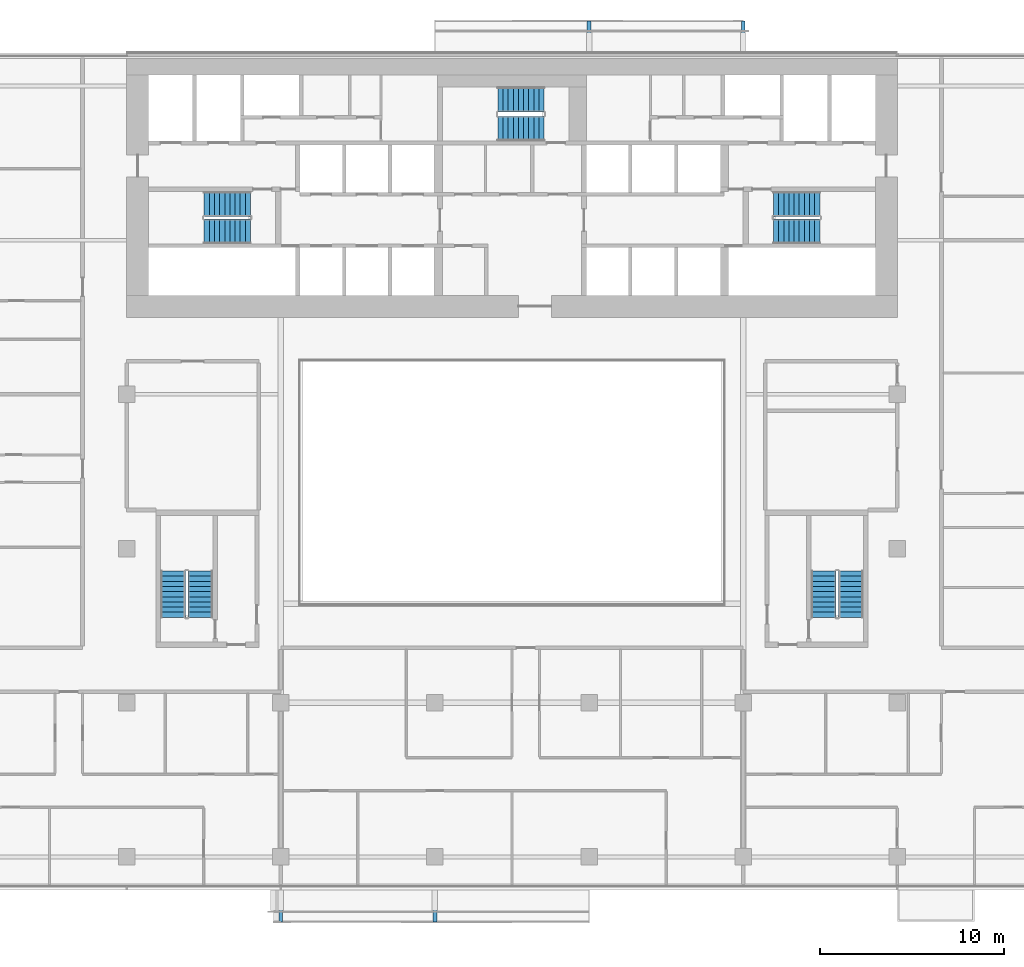
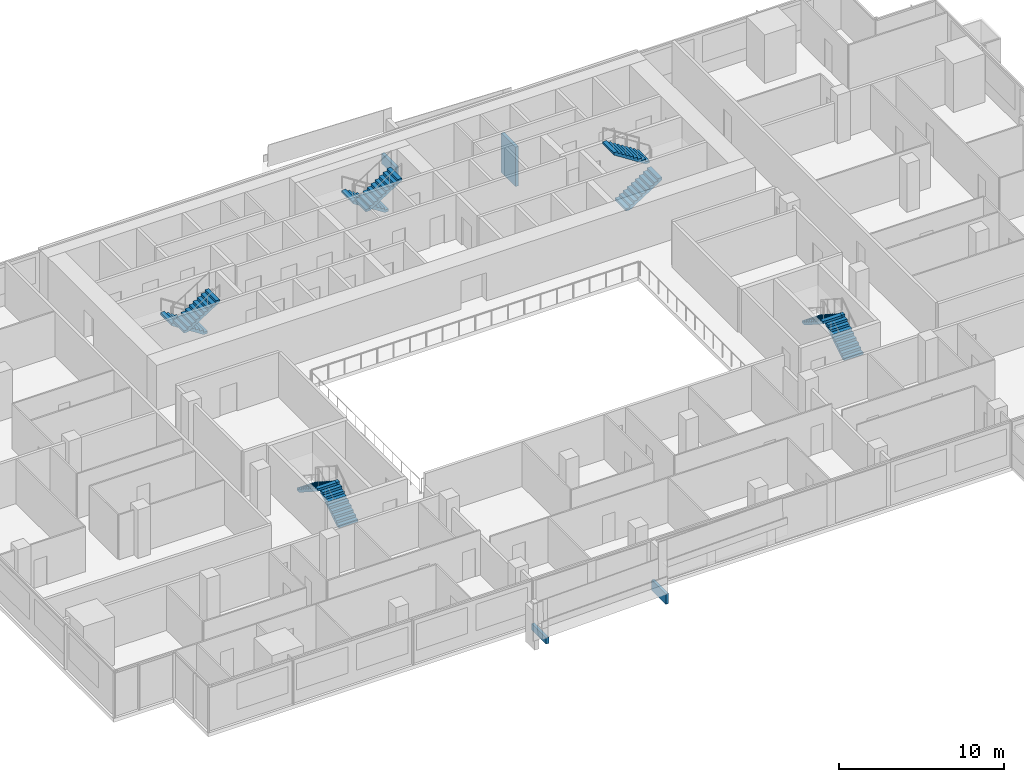
# One storey, part 24 of 26: 10 stair flights, 4 discrete accessories, 5 elements without a shape of their own.
"""IFC4 building model written with IfcOpenShell, lengths in metres."""

import ifcopenshell
import ifcopenshell.guid

model = None  # the IFC model being written
_history = None  # IfcOwnerHistory: only IFC2X3 demands one
_inside = {}  # id of a spatial element -> (the spatial element, [elements in it])
_under = {}  # id of a project, library or spatial element -> (it, [spatial elements below it])
_declared = {}  # id of a project -> (the project, [libraries it declares])
_typed = {}  # id of a type object -> (the type object, [elements of that type])
_made_of = {}  # id of a material, layer set ... -> (it, [elements and type objects made of it])


def new_model(schema):
    """Start an empty IFC model of exactly this schema.

    Asked for "IFC4X3", IfcOpenShell would pick the latest addendum, in which some entities
    have other attributes; the version numbers below select the first issue.
    IFC2X3 requires an IfcOwnerHistory on every rooted entity: one is made here for all.
    """
    global model, _history
    if schema == "IFC4X3":
        model = ifcopenshell.file(schema_version=(4, 3, 0, 0))
    else:
        model = ifcopenshell.file(schema=schema)
    _inside.clear()
    _under.clear()
    _declared.clear()
    _typed.clear()
    _made_of.clear()
    _history = None
    if model.schema == "IFC2X3":
        org = make("IfcOrganization", Name="unknown")
        user = make(
            "IfcPersonAndOrganization",
            ThePerson=make("IfcPerson", FamilyName="unknown"),
            TheOrganization=org,
        )
        app = make(
            "IfcApplication",
            ApplicationDeveloper=org,
            Version="unknown",
            ApplicationFullName="unknown",
            ApplicationIdentifier="unknown",
        )
        _history = make(
            "IfcOwnerHistory",
            OwningUser=user,
            OwningApplication=app,
            ChangeAction="ADDED",
            CreationDate=0,
        )
    return model


def make(cls, **values):
    """One entity of the class cls with the attributes given. An attribute that is None is left unset."""
    return model.create_entity(
        cls, **{name: value for name, value in values.items() if value is not None}
    )


def rooted(cls, **values):
    """An entity with a GlobalId (a new one), such as an element, a storey or a relation."""
    return make(cls, GlobalId=ifcopenshell.guid.new(), OwnerHistory=_history, **values)


def si_unit(unit_type, name, prefix=None):
    """IfcSIUnit, for example si_unit("LENGTHUNIT", "METRE", prefix="MILLI")."""
    return make("IfcSIUnit", UnitType=unit_type, Prefix=prefix, Name=name)


def assignment(units):
    """IfcUnitAssignment: the units of a project."""
    return None if units is None else make("IfcUnitAssignment", Units=units)


def point(xyz):
    """IfcCartesianPoint."""
    return None if xyz is None else make("IfcCartesianPoint", Coordinates=xyz)


def direction(xyz):
    """IfcDirection."""
    return None if xyz is None else make("IfcDirection", DirectionRatios=xyz)


def frame(location, z_axis=None, x_axis=None):
    """IfcAxis2Placement3D, a coordinate frame: its origin and axes. An axis left out is left unset."""
    return make(
        "IfcAxis2Placement3D",
        Location=point(location),
        Axis=direction(z_axis),
        RefDirection=direction(x_axis),
    )


def frame_2d(location, x_axis=None):
    """IfcAxis2Placement2D, a coordinate frame in the plane: its origin and x axis."""
    return make(
        "IfcAxis2Placement2D", Location=point(location), RefDirection=direction(x_axis)
    )


def origin():
    """The frame at (0, 0, 0) with its axes left unset."""
    return frame((0.0, 0.0, 0.0))


def origin_2d():
    """The frame at (0, 0) in the plane with its x axis left unset."""
    return frame_2d((0.0, 0.0))


def place(relative_to, where):
    """IfcLocalPlacement: puts the frame where relative to a parent placement (None: the world)."""
    return make(
        "IfcLocalPlacement", PlacementRelTo=relative_to, RelativePlacement=where
    )


def context(
    kind, dimensions, precision=None, world=None, true_north=None, identifier=None
):
    """IfcGeometricRepresentationContext, for example the 3D "Model" context."""
    return make(
        "IfcGeometricRepresentationContext",
        ContextIdentifier=identifier,
        ContextType=kind,
        CoordinateSpaceDimension=dimensions,
        Precision=precision,
        WorldCoordinateSystem=world,
        TrueNorth=true_north,
    )


def subcontext(parent, identifier, kind, view, scale=None):
    """IfcGeometricRepresentationSubContext, for example "Body" below "Model"."""
    return make(
        "IfcGeometricRepresentationSubContext",
        ContextIdentifier=identifier,
        ContextType=kind,
        ParentContext=parent,
        TargetScale=scale,
        TargetView=view,
    )


def project(units=None, contexts=None):
    """IfcProject with its units and contexts."""
    return rooted(
        "IfcProject",
        Name="project",
        RepresentationContexts=contexts,
        UnitsInContext=assignment(units),
    )


def spatial(cls, under=None, at=None, **own):
    """A site, building, storey or space (cls), placed at a placement, below another one or the project."""
    s = rooted(cls, ObjectPlacement=at, **own)
    if under is not None:
        _under.setdefault(under.id(), (under, []))[1].append(s)
    return s


def polyline(points):
    """IfcPolyline through the points."""
    return make("IfcPolyline", Points=[point(p) for p in points])


def profile(cls, at=None, kind="AREA", **sizes):
    """A parametric profile (cls). Its sizes go by their IFC names, for example OverallWidth=200.0."""
    return make(cls, ProfileType=kind, Position=at, **sizes)


def rectangle(**sizes):
    """IfcRectangleProfileDef."""
    return profile("IfcRectangleProfileDef", **sizes)


def outline(outer, holes=None, kind="AREA"):
    """IfcArbitraryClosedProfileDef: a profile drawn as a closed curve; with holes, ...WithVoids."""
    if holes is None:
        return make("IfcArbitraryClosedProfileDef", ProfileType=kind, OuterCurve=outer)
    return make(
        "IfcArbitraryProfileDefWithVoids",
        ProfileType=kind,
        OuterCurve=outer,
        InnerCurves=holes,
    )


def extrude(swept, where, along, depth):
    """IfcExtrudedAreaSolid: the profile swept, set in the frame where, extruded along a direction by depth."""
    return make(
        "IfcExtrudedAreaSolid",
        SweptArea=swept,
        Position=where,
        ExtrudedDirection=direction(along),
        Depth=depth,
    )


def shape(context_of_items, identifier, shape_type, items):
    """IfcShapeRepresentation: the items that make up one representation, for example the "Body"."""
    return make(
        "IfcShapeRepresentation",
        ContextOfItems=context_of_items,
        RepresentationIdentifier=identifier,
        RepresentationType=shape_type,
        Items=items,
    )


def material(Name=None, Category=None):
    """IfcMaterial."""
    return make("IfcMaterial", Name=Name, Category=Category)


def made_of(thing, what):
    """Note that an element or type object is made of a material, layer set ...; save() writes the relation."""
    if what is not None:
        _made_of.setdefault(what.id(), (what, []))[1].append(thing)
    return thing


def type_object(cls, material=None, **own):
    """A type object (cls), such as IfcWallType, which elements share."""
    return made_of(rooted(cls, **own), material)


def element(
    cls,
    number,
    at=None,
    inside=None,
    cuts=None,
    type_object=None,
    material=None,
    context=None,
    identifier="Body",
    shape_type=None,
    held_by="IfcProductDefinitionShape",
    body=None,
    shapes=None,
    **own,
):
    """One element of the class cls, such as IfcWall. Its Tag is "e" and its number.

    at: its placement. inside: the storey or other place that contains it. cuts: it is an
    opening in that element (IfcRelVoidsElement). A single representation is given by context,
    identifier, shape_type and body (its items); several are given by shapes. held_by: the class
    of the entity that holds the representations. save() writes the other relations.
    """
    e = rooted(cls, Tag="e%d" % number, ObjectPlacement=at, **own)
    if body is not None:
        shapes = [shape(context, identifier, shape_type, body)]
    if shapes is not None:
        e.Representation = make(held_by, Representations=shapes)
    if inside is not None:
        _inside.setdefault(inside.id(), (inside, []))[1].append(e)
    if cuts is not None:
        rooted(
            "IfcRelVoidsElement", RelatingBuildingElement=cuts, RelatedOpeningElement=e
        )
    if type_object is not None:
        _typed.setdefault(type_object.id(), (type_object, []))[1].append(e)
    return made_of(e, material)


def aggregate(whole, parts):
    """IfcRelAggregates: a whole, such as a stair, and the parts it consists of."""
    return rooted("IfcRelAggregates", RelatingObject=whole, RelatedObjects=parts)


def save(model, path):
    """Write the relations noted so far, then the file.

    IfcRelAggregates (storeys below a building ...), IfcRelContainedInSpatialStructure (elements
    in a storey), IfcRelDefinesByType, IfcRelAssociatesMaterial and IfcRelDeclares: one each for
    every whole, place, type object, material and project.
    """
    for whole, parts in _under.values():
        aggregate(whole, parts)
    for where, things in _inside.values():
        rooted(
            "IfcRelContainedInSpatialStructure",
            RelatedElements=things,
            RelatingStructure=where,
        )
    for kind, things in _typed.values():
        rooted("IfcRelDefinesByType", RelatedObjects=things, RelatingType=kind)
    for what, things in _made_of.values():
        rooted("IfcRelAssociatesMaterial", RelatedObjects=things, RelatingMaterial=what)
    for by, libraries in _declared.values():
        rooted("IfcRelDeclares", RelatingContext=by, RelatedDefinitions=libraries)
    model.write(path)


model = new_model("IFC4")

# Units and contexts
model_context = context("Model", 3, precision=1e-05, world=origin(), true_north=direction((0.0, 1.0)))
body_context = subcontext(model_context, "Body", "Model", "MODEL_VIEW")
ifc_project = project(units=[si_unit("LENGTHUNIT", "METRE"), si_unit("AREAUNIT", "SQUARE_METRE"), si_unit("VOLUMEUNIT", "CUBIC_METRE"), si_unit("PLANEANGLEUNIT", "RADIAN"), si_unit("MASSUNIT", "GRAM", prefix="KILO")], contexts=[model_context])

# Site, building, storey
site_placement = place(None, origin())
site = spatial("IfcSite", under=ifc_project, at=site_placement, CompositionType="ELEMENT")
building_placement = place(site_placement, origin())
building = spatial("IfcBuilding", under=site, at=building_placement, Name="Saffron Gate Tower", CompositionType="ELEMENT")
storey_placement = place(building_placement, frame((0.0, 0.0, 62.39990234375)))
storey = spatial("IfcBuildingStorey", under=building, at=storey_placement, Name="L14", CompositionType="ELEMENT", Elevation=62.39990234375)

# Stair, stair flights
ifc_material = material(Name="Concrete C40", Category="concrete")
stair_type = type_object("IfcStairType", Name="ST7 Stair 1350 wide, 20 risers of 180", PredefinedType="HALF_TURN_STAIR", material=ifc_material)
stair_1_placement = place(storey_placement, origin())
stair_1 = element("IfcStair", 1, at=stair_1_placement, inside=storey, type_object=stair_type, Name="L14 Exit stair A", PredefinedType="HALF_TURN_STAIR")
stair_flight_type = type_object("IfcStairFlightType", Name="SF3 Stair flight 1350 wide, riser 180 going 280", PredefinedType="STRAIGHT", material=ifc_material)
stair_flight_1_placement = place(storey_placement, frame((73.35009765625, 67.375, 0.0), z_axis=(0.0, 0.0, 1.0), x_axis=(-1.0, 0.0, 0.0)))
stair_flight_1 = element("IfcStairFlight", 2, at=stair_flight_1_placement, type_object=stair_flight_type, Name="ST-A flight 1", NumberOfRisers=10, NumberOfTreads=9, PredefinedType="STRAIGHT", RiserHeight=0.18, TreadLength=0.28, context=body_context, shape_type="SweptSolid", body=[
    extrude(outline(polyline([(0.0, 0.0), (0.0, 0.179931640625), (0.280029296875, 0.179931640625), (0.280029296875, 0.360107421875), (0.56005859375, 0.360107421875), (0.56005859375, 0.5400390625), (0.840087890625, 0.5400390625), (0.840087890625, 0.719970703125), (1.1201171875, 0.719970703125), (1.1201171875, 0.89990234375), (1.39990234375, 0.89990234375), (1.39990234375, 1.080078125), (1.679931640625, 1.080078125), (1.679931640625, 1.260009765625), (1.9599609375, 1.260009765625), (1.9599609375, 1.43994140625), (2.239990234375, 1.43994140625), (2.239990234375, 1.6201171875), (2.52001953125, 1.6201171875), (2.52001953125, 1.800048828125), (2.52001953125, 1.44189453125), (0.277099609375, 0.0), (0.0, 0.0)])), frame((0.0, 0.675048828125, 0.0), z_axis=(0.0, -1.0, 0.0), x_axis=(1.0, 0.0, 0.0)), (0.0, 0.0, 1.0), 1.35009765625),
])
stair_flight_2_placement = place(storey_placement, frame((70.830078125, 65.875, 1.800048828125), z_axis=(0.0, 0.0, 1.0), x_axis=(1.0, 0.0, 0.0)))
stair_flight_2 = element("IfcStairFlight", 3, at=stair_flight_2_placement, type_object=stair_flight_type, Name="ST-A flight 2", NumberOfRisers=10, NumberOfTreads=9, PredefinedType="STRAIGHT", RiserHeight=0.18, TreadLength=0.28, context=body_context, shape_type="SweptSolid", body=[
    extrude(outline(polyline([(0.0, 0.0), (0.0, 0.179931640625), (0.280029296875, 0.179931640625), (0.280029296875, 0.360107421875), (0.56005859375, 0.360107421875), (0.56005859375, 0.5400390625), (0.840087890625, 0.5400390625), (0.840087890625, 0.719970703125), (1.1201171875, 0.719970703125), (1.1201171875, 0.89990234375), (1.39990234375, 0.89990234375), (1.39990234375, 1.080078125), (1.679931640625, 1.080078125), (1.679931640625, 1.260009765625), (1.9599609375, 1.260009765625), (1.9599609375, 1.43994140625), (2.239990234375, 1.43994140625), (2.239990234375, 1.6201171875), (2.52001953125, 1.6201171875), (2.52001953125, 1.800048828125), (2.52001953125, 1.44189453125), (0.277099609375, 0.0), (0.0, 0.0)])), frame((0.0, 0.675048828125, 0.0), z_axis=(0.0, -1.0, 0.0), x_axis=(1.0, 0.0, 0.0)), (0.0, 0.0, 1.0), 1.35009765625),
])
aggregate(stair_1, [stair_flight_1, stair_flight_2])

stair_2_placement = place(storey_placement, origin())
stair_2 = element("IfcStair", 4, at=stair_2_placement, inside=storey, type_object=stair_type, Name="L14 Exit stair B", PredefinedType="HALF_TURN_STAIR")
stair_flight_3_placement = place(storey_placement, frame((101.85009765625, 65.875, 0.0), z_axis=(0.0, 0.0, 1.0), x_axis=(1.0, 0.0, 0.0)))
stair_flight_3 = element("IfcStairFlight", 5, at=stair_flight_3_placement, type_object=stair_flight_type, Name="ST-B flight 1", NumberOfRisers=10, NumberOfTreads=9, PredefinedType="STRAIGHT", RiserHeight=0.18, TreadLength=0.28, context=body_context, shape_type="SweptSolid", body=[
    extrude(outline(polyline([(0.0, 0.0), (0.0, 0.179931640625), (0.280029296875, 0.179931640625), (0.280029296875, 0.360107421875), (0.56005859375, 0.360107421875), (0.56005859375, 0.5400390625), (0.840087890625, 0.5400390625), (0.840087890625, 0.719970703125), (1.1201171875, 0.719970703125), (1.1201171875, 0.89990234375), (1.39990234375, 0.89990234375), (1.39990234375, 1.080078125), (1.679931640625, 1.080078125), (1.679931640625, 1.260009765625), (1.9599609375, 1.260009765625), (1.9599609375, 1.43994140625), (2.239990234375, 1.43994140625), (2.239990234375, 1.6201171875), (2.52001953125, 1.6201171875), (2.52001953125, 1.800048828125), (2.52001953125, 1.44189453125), (0.277099609375, 0.0), (0.0, 0.0)])), frame((0.0, 0.675048828125, 0.0), z_axis=(0.0, -1.0, 0.0), x_axis=(1.0, 0.0, 0.0)), (0.0, 0.0, 1.0), 1.35009765625),
])
stair_flight_4_placement = place(storey_placement, frame((104.3701171875, 67.375, 1.800048828125), z_axis=(0.0, 0.0, 1.0), x_axis=(-1.0, 0.0, 0.0)))
stair_flight_4 = element("IfcStairFlight", 6, at=stair_flight_4_placement, type_object=stair_flight_type, Name="ST-B flight 2", NumberOfRisers=10, NumberOfTreads=9, PredefinedType="STRAIGHT", RiserHeight=0.18, TreadLength=0.28, context=body_context, shape_type="SweptSolid", body=[
    extrude(outline(polyline([(0.0, 0.0), (0.0, 0.179931640625), (0.280029296875, 0.179931640625), (0.280029296875, 0.360107421875), (0.56005859375, 0.360107421875), (0.56005859375, 0.5400390625), (0.840087890625, 0.5400390625), (0.840087890625, 0.719970703125), (1.1201171875, 0.719970703125), (1.1201171875, 0.89990234375), (1.39990234375, 0.89990234375), (1.39990234375, 1.080078125), (1.679931640625, 1.080078125), (1.679931640625, 1.260009765625), (1.9599609375, 1.260009765625), (1.9599609375, 1.43994140625), (2.239990234375, 1.43994140625), (2.239990234375, 1.6201171875), (2.52001953125, 1.6201171875), (2.52001953125, 1.800048828125), (2.52001953125, 1.44189453125), (0.277099609375, 0.0), (0.0, 0.0)])), frame((0.0, 0.675048828125, 0.0), z_axis=(0.0, -1.0, 0.0), x_axis=(1.0, 0.0, 0.0)), (0.0, 0.0, 1.0), 1.35009765625),
])
aggregate(stair_2, [stair_flight_3, stair_flight_4])

stair_3_placement = place(storey_placement, origin())
stair_3 = element("IfcStair", 7, at=stair_3_placement, inside=storey, type_object=stair_type, Name="L14 Exit stair C", PredefinedType="HALF_TURN_STAIR")
stair_flight_5_placement = place(storey_placement, frame((89.35009765625, 73.074951171875, 0.0), z_axis=(0.0, 0.0, 1.0), x_axis=(-1.0, 0.0, 0.0)))
stair_flight_5 = element("IfcStairFlight", 8, at=stair_flight_5_placement, type_object=stair_flight_type, Name="ST-C flight 1", NumberOfRisers=10, NumberOfTreads=9, PredefinedType="STRAIGHT", RiserHeight=0.18, TreadLength=0.28, context=body_context, shape_type="SweptSolid", body=[
    extrude(outline(polyline([(0.0, 0.0), (0.0, 0.179931640625), (0.280029296875, 0.179931640625), (0.280029296875, 0.360107421875), (0.56005859375, 0.360107421875), (0.56005859375, 0.5400390625), (0.840087890625, 0.5400390625), (0.840087890625, 0.719970703125), (1.1201171875, 0.719970703125), (1.1201171875, 0.89990234375), (1.39990234375, 0.89990234375), (1.39990234375, 1.080078125), (1.679931640625, 1.080078125), (1.679931640625, 1.260009765625), (1.9599609375, 1.260009765625), (1.9599609375, 1.43994140625), (2.239990234375, 1.43994140625), (2.239990234375, 1.6201171875), (2.52001953125, 1.6201171875), (2.52001953125, 1.800048828125), (2.52001953125, 1.44189453125), (0.277099609375, 0.0), (0.0, 0.0)])), frame((0.0, 0.675048828125, 0.0), z_axis=(0.0, -1.0, 0.0), x_axis=(1.0, 0.0, 0.0)), (0.0, 0.0, 1.0), 1.35009765625),
])
stair_flight_6_placement = place(storey_placement, frame((86.830078125, 71.47509765625, 1.800048828125), z_axis=(0.0, 0.0, 1.0), x_axis=(1.0, 0.0, 0.0)))
stair_flight_6 = element("IfcStairFlight", 9, at=stair_flight_6_placement, type_object=stair_flight_type, Name="ST-C flight 2", NumberOfRisers=10, NumberOfTreads=9, PredefinedType="STRAIGHT", RiserHeight=0.18, TreadLength=0.28, context=body_context, shape_type="SweptSolid", body=[
    extrude(outline(polyline([(0.0, 0.0), (0.0, 0.179931640625), (0.280029296875, 0.179931640625), (0.280029296875, 0.360107421875), (0.56005859375, 0.360107421875), (0.56005859375, 0.5400390625), (0.840087890625, 0.5400390625), (0.840087890625, 0.719970703125), (1.1201171875, 0.719970703125), (1.1201171875, 0.89990234375), (1.39990234375, 0.89990234375), (1.39990234375, 1.080078125), (1.679931640625, 1.080078125), (1.679931640625, 1.260009765625), (1.9599609375, 1.260009765625), (1.9599609375, 1.43994140625), (2.239990234375, 1.43994140625), (2.239990234375, 1.6201171875), (2.52001953125, 1.6201171875), (2.52001953125, 1.800048828125), (2.52001953125, 1.44189453125), (0.277099609375, 0.0), (0.0, 0.0)])), frame((0.0, 0.675048828125, 0.0), z_axis=(0.0, -1.0, 0.0), x_axis=(1.0, 0.0, 0.0)), (0.0, 0.0, 1.0), 1.35009765625),
])
aggregate(stair_3, [stair_flight_5, stair_flight_6])

stair_4_placement = place(storey_placement, origin())
stair_4 = element("IfcStair", 10, at=stair_4_placement, inside=storey, type_object=stair_type, Name="L14 Exit stair D", PredefinedType="HALF_TURN_STAIR")
stair_flight_7_placement = place(storey_placement, frame((70.625, 44.85009765625, 0.0), z_axis=(0.0, 0.0, 1.0), x_axis=(0.0, 1.0, 0.0)))
stair_flight_7 = element("IfcStairFlight", 11, at=stair_flight_7_placement, type_object=stair_flight_type, Name="ST-D flight 1", NumberOfRisers=10, NumberOfTreads=9, PredefinedType="STRAIGHT", RiserHeight=0.18, TreadLength=0.28, context=body_context, shape_type="SweptSolid", body=[
    extrude(outline(polyline([(0.0, 0.0), (0.0, 0.179931640625), (0.280029296875, 0.179931640625), (0.280029296875, 0.360107421875), (0.56005859375, 0.360107421875), (0.56005859375, 0.5400390625), (0.840087890625, 0.5400390625), (0.840087890625, 0.719970703125), (1.1201171875, 0.719970703125), (1.1201171875, 0.89990234375), (1.39990234375, 0.89990234375), (1.39990234375, 1.080078125), (1.679931640625, 1.080078125), (1.679931640625, 1.260009765625), (1.9599609375, 1.260009765625), (1.9599609375, 1.43994140625), (2.239990234375, 1.43994140625), (2.239990234375, 1.6201171875), (2.52001953125, 1.6201171875), (2.52001953125, 1.800048828125), (2.52001953125, 1.44189453125), (0.277099609375, 0.0), (0.0, 0.0)])), frame((0.0, 0.675048828125, 0.0), z_axis=(0.0, -1.0, 0.0), x_axis=(1.0, 0.0, 0.0)), (0.0, 0.0, 1.0), 1.35009765625),
])
stair_flight_8_placement = place(storey_placement, frame((69.125, 47.3701171875, 1.800048828125), z_axis=(0.0, 0.0, 1.0), x_axis=(0.0, -1.0, 0.0)))
stair_flight_8 = element("IfcStairFlight", 12, at=stair_flight_8_placement, type_object=stair_flight_type, Name="ST-D flight 2", NumberOfRisers=10, NumberOfTreads=9, PredefinedType="STRAIGHT", RiserHeight=0.18, TreadLength=0.28, context=body_context, shape_type="SweptSolid", body=[
    extrude(outline(polyline([(0.0, 0.0), (0.0, 0.179931640625), (0.280029296875, 0.179931640625), (0.280029296875, 0.360107421875), (0.56005859375, 0.360107421875), (0.56005859375, 0.5400390625), (0.840087890625, 0.5400390625), (0.840087890625, 0.719970703125), (1.1201171875, 0.719970703125), (1.1201171875, 0.89990234375), (1.39990234375, 0.89990234375), (1.39990234375, 1.080078125), (1.679931640625, 1.080078125), (1.679931640625, 1.260009765625), (1.9599609375, 1.260009765625), (1.9599609375, 1.43994140625), (2.239990234375, 1.43994140625), (2.239990234375, 1.6201171875), (2.52001953125, 1.6201171875), (2.52001953125, 1.800048828125), (2.52001953125, 1.44189453125), (0.277099609375, 0.0), (0.0, 0.0)])), frame((0.0, 0.675048828125, 0.0), z_axis=(0.0, -1.0, 0.0), x_axis=(1.0, 0.0, 0.0)), (0.0, 0.0, 1.0), 1.35009765625),
])
aggregate(stair_4, [stair_flight_7, stair_flight_8])

stair_5_placement = place(storey_placement, origin())
stair_5 = element("IfcStair", 13, at=stair_5_placement, inside=storey, type_object=stair_type, Name="L14 Exit stair E", PredefinedType="HALF_TURN_STAIR")
stair_flight_9_placement = place(storey_placement, frame((106.074951171875, 44.85009765625, 0.0), z_axis=(0.0, 0.0, 1.0), x_axis=(0.0, 1.0, 0.0)))
stair_flight_9 = element("IfcStairFlight", 14, at=stair_flight_9_placement, type_object=stair_flight_type, Name="ST-E flight 1", NumberOfRisers=10, NumberOfTreads=9, PredefinedType="STRAIGHT", RiserHeight=0.18, TreadLength=0.28, context=body_context, shape_type="SweptSolid", body=[
    extrude(outline(polyline([(0.0, 0.0), (0.0, 0.179931640625), (0.280029296875, 0.179931640625), (0.280029296875, 0.360107421875), (0.56005859375, 0.360107421875), (0.56005859375, 0.5400390625), (0.840087890625, 0.5400390625), (0.840087890625, 0.719970703125), (1.1201171875, 0.719970703125), (1.1201171875, 0.89990234375), (1.39990234375, 0.89990234375), (1.39990234375, 1.080078125), (1.679931640625, 1.080078125), (1.679931640625, 1.260009765625), (1.9599609375, 1.260009765625), (1.9599609375, 1.43994140625), (2.239990234375, 1.43994140625), (2.239990234375, 1.6201171875), (2.52001953125, 1.6201171875), (2.52001953125, 1.800048828125), (2.52001953125, 1.44189453125), (0.277099609375, 0.0), (0.0, 0.0)])), frame((0.0, 0.675048828125, 0.0), z_axis=(0.0, -1.0, 0.0), x_axis=(1.0, 0.0, 0.0)), (0.0, 0.0, 1.0), 1.35009765625),
])
stair_flight_10_placement = place(storey_placement, frame((104.574951171875, 47.3701171875, 1.800048828125), z_axis=(0.0, 0.0, 1.0), x_axis=(0.0, -1.0, 0.0)))
stair_flight_10 = element("IfcStairFlight", 15, at=stair_flight_10_placement, type_object=stair_flight_type, Name="ST-E flight 2", NumberOfRisers=10, NumberOfTreads=9, PredefinedType="STRAIGHT", RiserHeight=0.18, TreadLength=0.28, context=body_context, shape_type="SweptSolid", body=[
    extrude(outline(polyline([(0.0, 0.0), (0.0, 0.179931640625), (0.280029296875, 0.179931640625), (0.280029296875, 0.360107421875), (0.56005859375, 0.360107421875), (0.56005859375, 0.5400390625), (0.840087890625, 0.5400390625), (0.840087890625, 0.719970703125), (1.1201171875, 0.719970703125), (1.1201171875, 0.89990234375), (1.39990234375, 0.89990234375), (1.39990234375, 1.080078125), (1.679931640625, 1.080078125), (1.679931640625, 1.260009765625), (1.9599609375, 1.260009765625), (1.9599609375, 1.43994140625), (2.239990234375, 1.43994140625), (2.239990234375, 1.6201171875), (2.52001953125, 1.6201171875), (2.52001953125, 1.800048828125), (2.52001953125, 1.44189453125), (0.277099609375, 0.0), (0.0, 0.0)])), frame((0.0, 0.675048828125, 0.0), z_axis=(0.0, -1.0, 0.0), x_axis=(1.0, 0.0, 0.0)), (0.0, 0.0, 1.0), 1.35009765625),
])
aggregate(stair_5, [stair_flight_9, stair_flight_10])

# Discrete accessories
discrete_accessory_1_placement = place(storey_placement, frame((100.199951171875, 76.47509765625, -3.8798828125), z_axis=(0.0, 0.0, 1.0), x_axis=(-1.0, 0.0, 0.0)))
element("IfcDiscreteAccessory", 16, at=discrete_accessory_1_placement, inside=storey, Name="LEDGE rib", PredefinedType="BRACKET", context=body_context, shape_type="SweptSolid", body=[
    extrude(rectangle(XDim=0.199951171875, YDim=1.75, at=origin_2d()), origin(), (0.0, 0.0, 1.0), 2.923583984375),
])
discrete_accessory_2_placement = place(storey_placement, frame((91.800048828125, 76.47509765625, -0.27978515625), z_axis=(0.0, 0.0, 1.0), x_axis=(-1.0, 0.0, 0.0)))
element("IfcDiscreteAccessory", 17, at=discrete_accessory_2_placement, inside=storey, Name="LEDGE rib", PredefinedType="BRACKET", context=body_context, shape_type="SweptSolid", body=[
    extrude(rectangle(XDim=0.199951171875, YDim=1.75, at=origin_2d()), origin(), (0.0, 0.0, 1.0), 0.765869140625),
])
discrete_accessory_3_placement = place(storey_placement, frame((75.0, 29.125, -0.280029296875), z_axis=(0.0, 0.0, 1.0), x_axis=(1.0, 0.0, 0.0)))
element("IfcDiscreteAccessory", 18, at=discrete_accessory_3_placement, inside=storey, Name="LEDGE rib", PredefinedType="BRACKET", context=body_context, shape_type="SweptSolid", body=[
    extrude(rectangle(XDim=0.199951171875, YDim=1.75, at=origin_2d()), origin(), (0.0, 0.0, 1.0), 0.466796875),
])
discrete_accessory_4_placement = place(storey_placement, frame((83.39990234375, 29.125, -0.27978515625), z_axis=(0.0, 0.0, 1.0), x_axis=(1.0, 0.0, 0.0)))
element("IfcDiscreteAccessory", 19, at=discrete_accessory_4_placement, inside=storey, Name="LEDGE rib", PredefinedType="BRACKET", context=body_context, shape_type="SweptSolid", body=[
    extrude(rectangle(XDim=0.199951171875, YDim=1.75, at=origin_2d()), origin(), (0.0, 0.0, 1.0), 0.765869140625),
])

save(model, "model.ifc")
